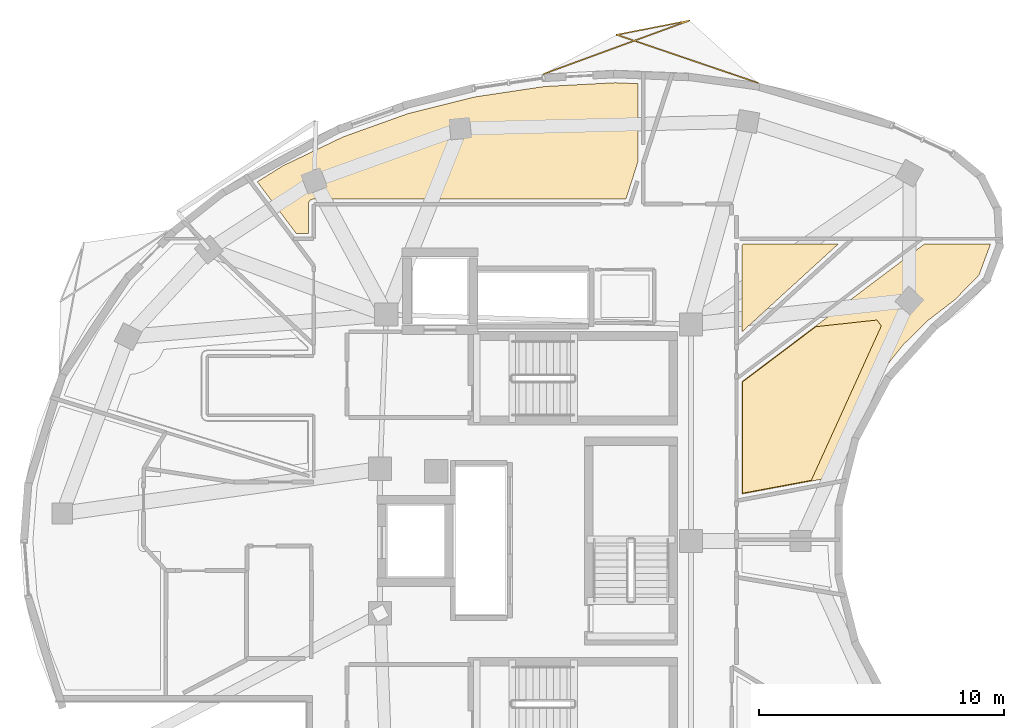
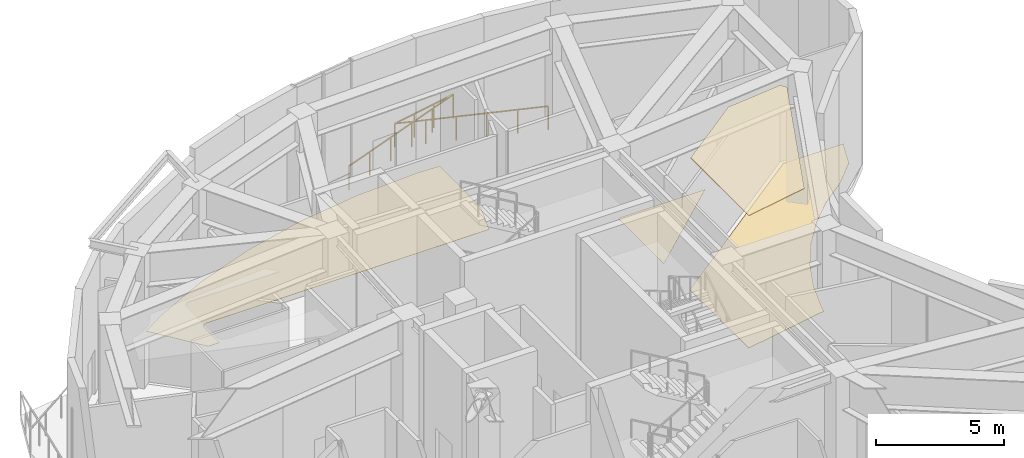
# One storey, part 12 of 12: 4 coverings, 1 railing.
"""IFC4 building model written with IfcOpenShell, lengths in metres."""

import ifcopenshell
import ifcopenshell.guid

model = None  # the IFC model being written
_history = None  # IfcOwnerHistory: only IFC2X3 demands one
_inside = {}  # id of a spatial element -> (the spatial element, [elements in it])
_under = {}  # id of a project, library or spatial element -> (it, [spatial elements below it])
_declared = {}  # id of a project -> (the project, [libraries it declares])
_typed = {}  # id of a type object -> (the type object, [elements of that type])
_made_of = {}  # id of a material, layer set ... -> (it, [elements and type objects made of it])


def new_model(schema):
    """Start an empty IFC model of exactly this schema.

    Asked for "IFC4X3", IfcOpenShell would pick the latest addendum, in which some entities
    have other attributes; the version numbers below select the first issue.
    IFC2X3 requires an IfcOwnerHistory on every rooted entity: one is made here for all.
    """
    global model, _history
    if schema == "IFC4X3":
        model = ifcopenshell.file(schema_version=(4, 3, 0, 0))
    else:
        model = ifcopenshell.file(schema=schema)
    _inside.clear()
    _under.clear()
    _declared.clear()
    _typed.clear()
    _made_of.clear()
    _history = None
    if model.schema == "IFC2X3":
        org = make("IfcOrganization", Name="unknown")
        user = make(
            "IfcPersonAndOrganization",
            ThePerson=make("IfcPerson", FamilyName="unknown"),
            TheOrganization=org,
        )
        app = make(
            "IfcApplication",
            ApplicationDeveloper=org,
            Version="unknown",
            ApplicationFullName="unknown",
            ApplicationIdentifier="unknown",
        )
        _history = make(
            "IfcOwnerHistory",
            OwningUser=user,
            OwningApplication=app,
            ChangeAction="ADDED",
            CreationDate=0,
        )
    return model


def make(cls, **values):
    """One entity of the class cls with the attributes given. An attribute that is None is left unset."""
    return model.create_entity(
        cls, **{name: value for name, value in values.items() if value is not None}
    )


def rooted(cls, **values):
    """An entity with a GlobalId (a new one), such as an element, a storey or a relation."""
    return make(cls, GlobalId=ifcopenshell.guid.new(), OwnerHistory=_history, **values)


def si_unit(unit_type, name, prefix=None):
    """IfcSIUnit, for example si_unit("LENGTHUNIT", "METRE", prefix="MILLI")."""
    return make("IfcSIUnit", UnitType=unit_type, Prefix=prefix, Name=name)


def assignment(units):
    """IfcUnitAssignment: the units of a project."""
    return None if units is None else make("IfcUnitAssignment", Units=units)


def point(xyz):
    """IfcCartesianPoint."""
    return None if xyz is None else make("IfcCartesianPoint", Coordinates=xyz)


def direction(xyz):
    """IfcDirection."""
    return None if xyz is None else make("IfcDirection", DirectionRatios=xyz)


def frame(location, z_axis=None, x_axis=None):
    """IfcAxis2Placement3D, a coordinate frame: its origin and axes. An axis left out is left unset."""
    return make(
        "IfcAxis2Placement3D",
        Location=point(location),
        Axis=direction(z_axis),
        RefDirection=direction(x_axis),
    )


def frame_2d(location, x_axis=None):
    """IfcAxis2Placement2D, a coordinate frame in the plane: its origin and x axis."""
    return make(
        "IfcAxis2Placement2D", Location=point(location), RefDirection=direction(x_axis)
    )


def origin():
    """The frame at (0, 0, 0) with its axes left unset."""
    return frame((0.0, 0.0, 0.0))


def origin_2d():
    """The frame at (0, 0) in the plane with its x axis left unset."""
    return frame_2d((0.0, 0.0))


def place(relative_to, where):
    """IfcLocalPlacement: puts the frame where relative to a parent placement (None: the world)."""
    return make(
        "IfcLocalPlacement", PlacementRelTo=relative_to, RelativePlacement=where
    )


def context(
    kind, dimensions, precision=None, world=None, true_north=None, identifier=None
):
    """IfcGeometricRepresentationContext, for example the 3D "Model" context."""
    return make(
        "IfcGeometricRepresentationContext",
        ContextIdentifier=identifier,
        ContextType=kind,
        CoordinateSpaceDimension=dimensions,
        Precision=precision,
        WorldCoordinateSystem=world,
        TrueNorth=true_north,
    )


def subcontext(parent, identifier, kind, view, scale=None):
    """IfcGeometricRepresentationSubContext, for example "Body" below "Model"."""
    return make(
        "IfcGeometricRepresentationSubContext",
        ContextIdentifier=identifier,
        ContextType=kind,
        ParentContext=parent,
        TargetScale=scale,
        TargetView=view,
    )


def project(units=None, contexts=None):
    """IfcProject with its units and contexts."""
    return rooted(
        "IfcProject",
        Name="project",
        RepresentationContexts=contexts,
        UnitsInContext=assignment(units),
    )


def spatial(cls, under=None, at=None, **own):
    """A site, building, storey or space (cls), placed at a placement, below another one or the project."""
    s = rooted(cls, ObjectPlacement=at, **own)
    if under is not None:
        _under.setdefault(under.id(), (under, []))[1].append(s)
    return s


def polyline(points):
    """IfcPolyline through the points."""
    return make("IfcPolyline", Points=[point(p) for p in points])


def profile(cls, at=None, kind="AREA", **sizes):
    """A parametric profile (cls). Its sizes go by their IFC names, for example OverallWidth=200.0."""
    return make(cls, ProfileType=kind, Position=at, **sizes)


def rectangle(**sizes):
    """IfcRectangleProfileDef."""
    return profile("IfcRectangleProfileDef", **sizes)


def outline(outer, holes=None, kind="AREA"):
    """IfcArbitraryClosedProfileDef: a profile drawn as a closed curve; with holes, ...WithVoids."""
    if holes is None:
        return make("IfcArbitraryClosedProfileDef", ProfileType=kind, OuterCurve=outer)
    return make(
        "IfcArbitraryProfileDefWithVoids",
        ProfileType=kind,
        OuterCurve=outer,
        InnerCurves=holes,
    )


def extrude(swept, where, along, depth):
    """IfcExtrudedAreaSolid: the profile swept, set in the frame where, extruded along a direction by depth."""
    return make(
        "IfcExtrudedAreaSolid",
        SweptArea=swept,
        Position=where,
        ExtrudedDirection=direction(along),
        Depth=depth,
    )


def shape(context_of_items, identifier, shape_type, items):
    """IfcShapeRepresentation: the items that make up one representation, for example the "Body"."""
    return make(
        "IfcShapeRepresentation",
        ContextOfItems=context_of_items,
        RepresentationIdentifier=identifier,
        RepresentationType=shape_type,
        Items=items,
    )


def material(Name=None, Category=None):
    """IfcMaterial."""
    return make("IfcMaterial", Name=Name, Category=Category)


def layer(
    of_material, thickness, ventilated=None, Name=None, Category=None, Priority=None
):
    """IfcMaterialLayer: one layer of a wall or slab, of a material (None: an air gap)."""
    return make(
        "IfcMaterialLayer",
        Material=of_material,
        LayerThickness=thickness,
        IsVentilated=ventilated,
        Name=Name,
        Category=Category,
        Priority=Priority,
    )


def layer_set(layers, Name=None):
    """IfcMaterialLayerSet."""
    return make("IfcMaterialLayerSet", MaterialLayers=layers, LayerSetName=Name)


def made_of(thing, what):
    """Note that an element or type object is made of a material, layer set ...; save() writes the relation."""
    if what is not None:
        _made_of.setdefault(what.id(), (what, []))[1].append(thing)
    return thing


def type_object(cls, material=None, **own):
    """A type object (cls), such as IfcWallType, which elements share."""
    return made_of(rooted(cls, **own), material)


def element(
    cls,
    number,
    at=None,
    inside=None,
    cuts=None,
    type_object=None,
    material=None,
    context=None,
    identifier="Body",
    shape_type=None,
    held_by="IfcProductDefinitionShape",
    body=None,
    shapes=None,
    **own,
):
    """One element of the class cls, such as IfcWall. Its Tag is "e" and its number.

    at: its placement. inside: the storey or other place that contains it. cuts: it is an
    opening in that element (IfcRelVoidsElement). A single representation is given by context,
    identifier, shape_type and body (its items); several are given by shapes. held_by: the class
    of the entity that holds the representations. save() writes the other relations.
    """
    e = rooted(cls, Tag="e%d" % number, ObjectPlacement=at, **own)
    if body is not None:
        shapes = [shape(context, identifier, shape_type, body)]
    if shapes is not None:
        e.Representation = make(held_by, Representations=shapes)
    if inside is not None:
        _inside.setdefault(inside.id(), (inside, []))[1].append(e)
    if cuts is not None:
        rooted(
            "IfcRelVoidsElement", RelatingBuildingElement=cuts, RelatedOpeningElement=e
        )
    if type_object is not None:
        _typed.setdefault(type_object.id(), (type_object, []))[1].append(e)
    return made_of(e, material)


def aggregate(whole, parts):
    """IfcRelAggregates: a whole, such as a stair, and the parts it consists of."""
    return rooted("IfcRelAggregates", RelatingObject=whole, RelatedObjects=parts)


def save(model, path):
    """Write the relations noted so far, then the file.

    IfcRelAggregates (storeys below a building ...), IfcRelContainedInSpatialStructure (elements
    in a storey), IfcRelDefinesByType, IfcRelAssociatesMaterial and IfcRelDeclares: one each for
    every whole, place, type object, material and project.
    """
    for whole, parts in _under.values():
        aggregate(whole, parts)
    for where, things in _inside.values():
        rooted(
            "IfcRelContainedInSpatialStructure",
            RelatedElements=things,
            RelatingStructure=where,
        )
    for kind, things in _typed.values():
        rooted("IfcRelDefinesByType", RelatedObjects=things, RelatingType=kind)
    for what, things in _made_of.values():
        rooted("IfcRelAssociatesMaterial", RelatedObjects=things, RelatingMaterial=what)
    for by, libraries in _declared.values():
        rooted("IfcRelDeclares", RelatingContext=by, RelatedDefinitions=libraries)
    model.write(path)


model = new_model("IFC4")

# Units and contexts
model_context = context("Model", 3, precision=1e-05, world=origin(), true_north=direction((0.0, 1.0)))
body_context = subcontext(model_context, "Body", "Model", "MODEL_VIEW")
ifc_project = project(units=[si_unit("LENGTHUNIT", "METRE"), si_unit("AREAUNIT", "SQUARE_METRE"), si_unit("VOLUMEUNIT", "CUBIC_METRE"), si_unit("PLANEANGLEUNIT", "RADIAN"), si_unit("MASSUNIT", "GRAM", prefix="KILO")], contexts=[model_context])

# Site, building, storey
site_placement = place(None, origin())
site = spatial("IfcSite", under=ifc_project, at=site_placement, CompositionType="ELEMENT")
building_placement = place(site_placement, origin())
building = spatial("IfcBuilding", under=site, at=building_placement, Name="Korentha Bioscience Tower", CompositionType="ELEMENT")
storey_placement = place(building_placement, frame((0.0, 0.0, 291.0)))
storey = spatial("IfcBuildingStorey", under=building, at=storey_placement, Name="L67", CompositionType="ELEMENT", Elevation=291.0)

# Railing
ifc_material_1 = material(Name="Laminated Tempered Safety Glass", Category="glass")
railing_type = type_object("IfcRailingType", Name="Laminated Glass Balcony Guardrail 1150", PredefinedType="BALUSTRADE", material=ifc_material_1)
railing_placement = place(storey_placement, frame((40.291015625, 45.715576171875, 0.0)))
element("IfcRailing", 1, at=railing_placement, inside=storey, type_object=railing_type, Name="L67 Balcony Guardrail 01", PredefinedType="BALUSTRADE", context=body_context, shape_type="SweptSolid", body=[
    extrude(rectangle(XDim=0.048095703125, YDim=0.048095703125, at=origin_2d()), frame((0.0, 0.0, 1.1259765625), z_axis=(-0.946655878347, 0.322246253649, 0.0), x_axis=(-0.322246253649, -0.946655878347, 0.0)), (0.0, 0.0, 1.0), 6.1025390625),
    extrude(rectangle(XDim=0.048095703125, YDim=0.048095703125, at=origin_2d()), frame((-5.777099609375, 1.966552734375, 1.1259765625), z_axis=(0.981507621424, 0.191423063099, 0.0), x_axis=(-0.191423063099, 0.981507621424, 0.0)), (0.0, 0.0, 1.0), 3.022705078125),
    extrude(rectangle(XDim=0.048095703125, YDim=0.048095703125, at=origin_2d()), frame((-2.810302734375, 2.545166015625, 1.1259765625), z_axis=(-0.9389802492, -0.343971062174, 0.0), x_axis=(0.343971062174, -0.9389802492, 0.0)), (0.0, 0.0, 1.0), 6.349609375),
    extrude(rectangle(XDim=0.0419921875, YDim=0.0419921875, at=origin_2d()), origin(), (0.0, 0.0, 1.0), 1.101806640625),
    extrude(rectangle(XDim=0.0419921875, YDim=0.0419921875, at=origin_2d()), frame((-1.155517578125, 0.393310546875, 0.0)), (0.0, 0.0, 1.0), 1.101806640625),
    extrude(rectangle(XDim=0.0419921875, YDim=0.0419921875, at=origin_2d()), frame((-2.310791015625, 0.78662109375, 0.0)), (0.0, 0.0, 1.0), 1.101806640625),
    extrude(rectangle(XDim=0.0419921875, YDim=0.0419921875, at=origin_2d()), frame((-3.46630859375, 1.179931640625, 0.0)), (0.0, 0.0, 1.0), 1.101806640625),
    extrude(rectangle(XDim=0.0419921875, YDim=0.0419921875, at=origin_2d()), frame((-4.62158203125, 1.5732421875, 0.0)), (0.0, 0.0, 1.0), 1.101806640625),
    extrude(rectangle(XDim=0.0419921875, YDim=0.0419921875, at=origin_2d()), frame((-5.777099609375, 1.966552734375, 0.0)), (0.0, 0.0, 1.0), 1.101806640625),
    extrude(rectangle(XDim=0.0419921875, YDim=0.0419921875, at=origin_2d()), frame((-4.7880859375, 2.159423828125, 0.0)), (0.0, 0.0, 1.0), 1.101806640625),
    extrude(rectangle(XDim=0.0419921875, YDim=0.0419921875, at=origin_2d()), frame((-3.79931640625, 2.352294921875, 0.0)), (0.0, 0.0, 1.0), 1.101806640625),
    extrude(rectangle(XDim=0.0419921875, YDim=0.0419921875, at=origin_2d()), frame((-2.810302734375, 2.545166015625, 0.0)), (0.0, 0.0, 1.0), 1.101806640625),
    extrude(rectangle(XDim=0.0419921875, YDim=0.0419921875, at=origin_2d()), frame((-4.002685546875, 2.1083984375, 0.0)), (0.0, 0.0, 1.0), 1.101806640625),
    extrude(rectangle(XDim=0.0419921875, YDim=0.0419921875, at=origin_2d()), frame((-5.195068359375, 1.671630859375, 0.0)), (0.0, 0.0, 1.0), 1.101806640625),
    extrude(rectangle(XDim=0.0419921875, YDim=0.0419921875, at=origin_2d()), frame((-6.3876953125, 1.234619140625, 0.0)), (0.0, 0.0, 1.0), 1.101806640625),
    extrude(rectangle(XDim=0.0419921875, YDim=0.0419921875, at=origin_2d()), frame((-7.580078125, 0.7978515625, 0.0)), (0.0, 0.0, 1.0), 1.101806640625),
    extrude(rectangle(XDim=0.0419921875, YDim=0.0419921875, at=origin_2d()), frame((-8.7724609375, 0.361083984375, 0.0)), (0.0, 0.0, 1.0), 1.101806640625),
])

# Coverings
ifc_material_2 = material(Name="Antimicrobial Mineral Fibre Board", Category="gypsum")
ifc_layer_1 = layer(ifc_material_2, 0.034912109375, Name="Antimicrobial Mineral Fibre Board")
ifc_layer_set_1 = layer_set([ifc_layer_1], Name="Antimicrobial Mineral Fibre Board (CL-MF35)")
covering_type_1 = type_object("IfcCoveringType", Name="Mineral-Fibre Cleanroom Suspended Ceiling 35", PredefinedType="CEILING", material=ifc_layer_set_1)
covering_1_placement = place(storey_placement, frame((0.0, 0.0, 6.264892578125)))
element("IfcCovering", 2, at=covering_1_placement, inside=storey, type_object=covering_type_1, Name="L67 Climate Telemetry Control Studio 11 Acoustic Ceiling", PredefinedType="CEILING", context=body_context, shape_type="SweptSolid", body=[
    extrude(outline(polyline([(42.65576171875, 35.757568359375), (45.1455078125, 36.02880859375), (45.32421875, 35.78662109375), (42.464111328125, 29.47998046875), (39.659912109375, 28.955078125), (39.659912109375, 33.5), (42.65576171875, 35.757568359375)])), origin(), (0.0, 0.0, 1.0), 0.03515625),
])
ifc_material_3 = material(Name="Chemical-Resistant Epoxy Resin", Category="polymer")
ifc_layer_2 = layer(ifc_material_3, 0.011962890625, Name="Chemical-Resistant Epoxy Resin")
ifc_layer_set_2 = layer_set([ifc_layer_2], Name="Chemical-Resistant Epoxy Resin (FL-EPX)")
covering_type_2 = type_object("IfcCoveringType", Name="Seamless Epoxy Laboratory Flooring 12", PredefinedType="FLOORING", material=ifc_layer_set_2)
covering_2_placement = place(storey_placement, origin())
element("IfcCovering", 3, at=covering_2_placement, inside=storey, type_object=covering_type_2, Name="L67 Climate Telemetry Control Studio 11 Floor Finish", PredefinedType="FLOORING", context=body_context, shape_type="SweptSolid", body=[
    extrude(outline(polyline([(39.6298828125, 28.9189453125), (39.6298828125, 33.514892578125), (47.078857421875, 39.1279296875), (49.783203125, 39.1279296875), (49.316162109375, 37.8701171875), (48.33984375, 36.865966796875), (47.22412109375, 36.00634765625), (46.218017578125, 35.018310546875), (45.278564453125, 33.839111328125), (44.53466796875, 32.625244140625), (43.932861328125, 31.31103515625), (43.490478515625, 29.9208984375), (43.432861328125, 29.630615234375), (39.6298828125, 28.9189453125)])), origin(), (0.0, 0.0, 1.0), 0.011962890625),
])
covering_3_placement = place(storey_placement, origin())
element("IfcCovering", 4, at=covering_3_placement, inside=storey, type_object=covering_type_2, Name="L67 Panoramic Refreshment Lounge 13 Floor Finish", PredefinedType="FLOORING", context=body_context, shape_type="SweptSolid", body=[
    extrude(outline(polyline([(43.55908203125, 39.1279296875), (39.6298828125, 35.5400390625), (39.6298828125, 39.074462890625), (39.668701171875, 39.1279296875), (43.55908203125, 39.1279296875)])), origin(), (0.0, 0.0, 1.0), 0.011962890625),
])
covering_4_placement = place(storey_placement, origin())
element("IfcCovering", 5, at=covering_4_placement, inside=storey, type_object=covering_type_2, Name="L67 Wind-Portal Aerodynamic Viewing Gallery 15 Floor Finish", PredefinedType="FLOORING", context=body_context, shape_type="SweptSolid", body=[
    extrude(outline(polyline([(20.8837890625, 42.3291015625), (23.345458984375, 43.511474609375), (25.972900390625, 44.45458984375), (28.728515625, 45.143798828125), (31.56982421875, 45.568603515625), (34.45703125, 45.722900390625), (35.3779296875, 45.68505859375), (35.3779296875, 42.48388671875), (34.897705078125, 40.97998046875), (22.11669921875, 40.9775390625), (21.9951171875, 40.920166015625), (21.9423828125, 40.848876953125), (21.92236328125, 40.783203125), (21.919921875, 39.572021484375), (21.419921875, 39.572021484375), (19.833740234375, 41.6767578125), (20.8837890625, 42.3291015625)])), origin(), (0.0, 0.0, 1.0), 0.011962890625),
])

save(model, "model.ifc")
